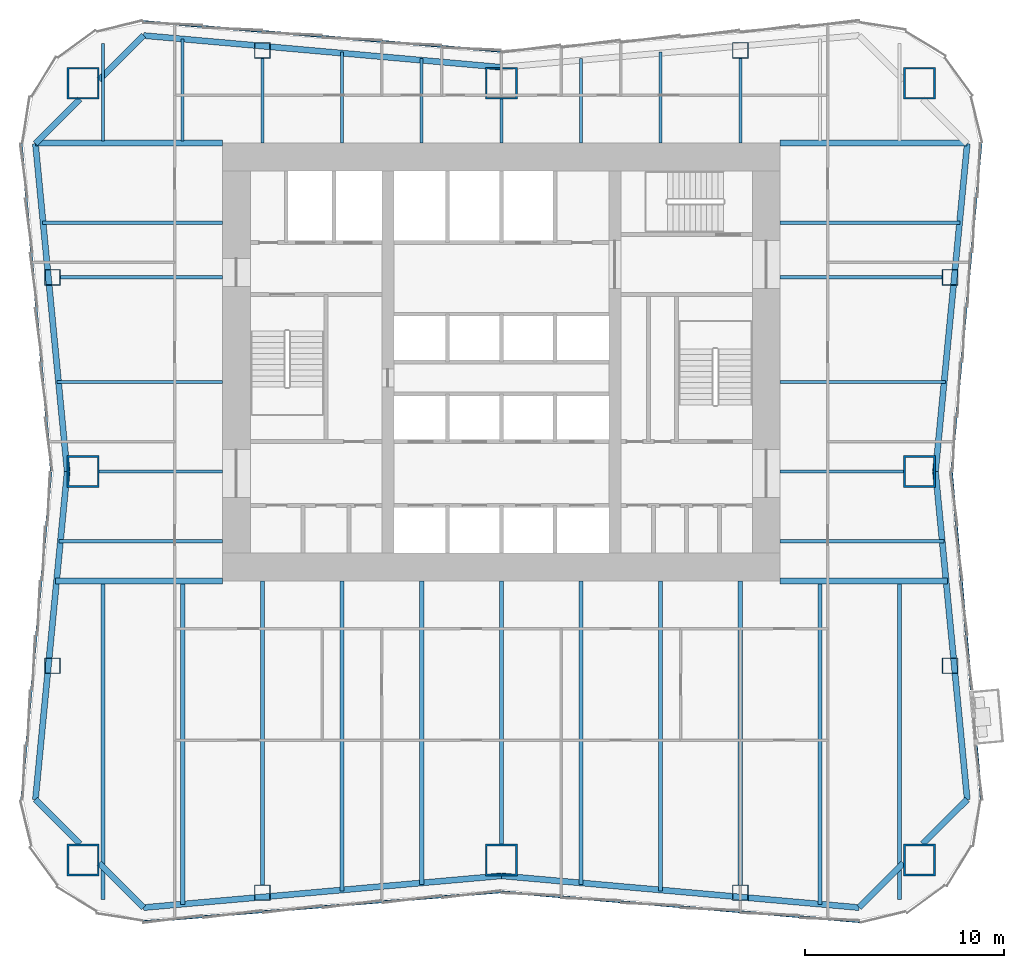
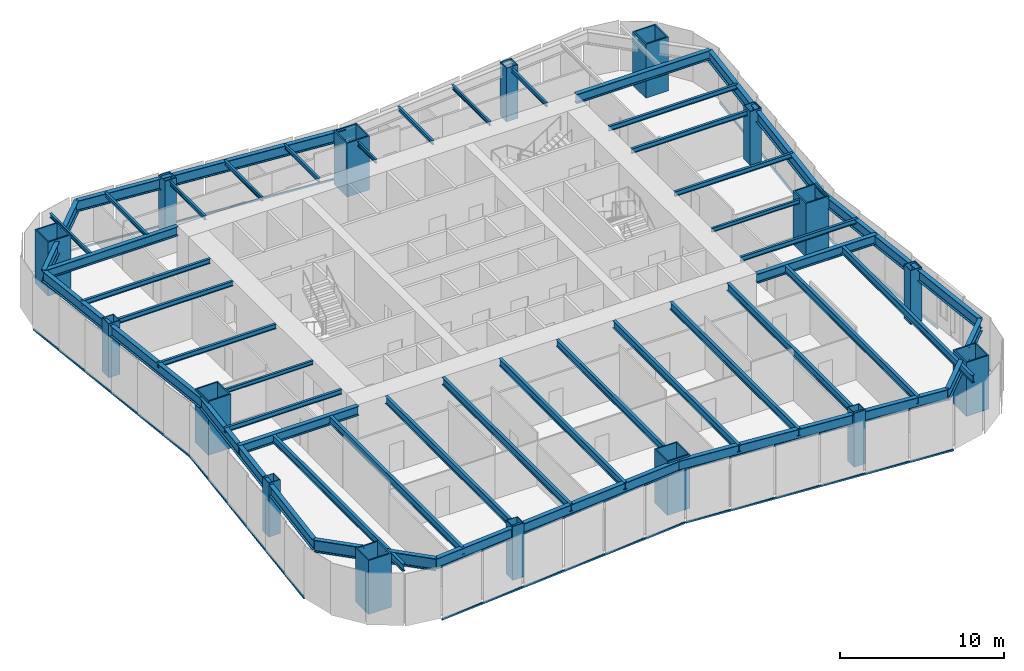
# One storey, part 1 of 8: 47 beams, 16 columns, 8 members, 4 elements without a shape of their own.
"""IFC4 building model written with IfcOpenShell, lengths in metres."""

import ifcopenshell
import ifcopenshell.guid

model = None  # the IFC model being written
_history = None  # IfcOwnerHistory: only IFC2X3 demands one
_inside = {}  # id of a spatial element -> (the spatial element, [elements in it])
_under = {}  # id of a project, library or spatial element -> (it, [spatial elements below it])
_declared = {}  # id of a project -> (the project, [libraries it declares])
_typed = {}  # id of a type object -> (the type object, [elements of that type])
_made_of = {}  # id of a material, layer set ... -> (it, [elements and type objects made of it])


def new_model(schema):
    """Start an empty IFC model of exactly this schema.

    Asked for "IFC4X3", IfcOpenShell would pick the latest addendum, in which some entities
    have other attributes; the version numbers below select the first issue.
    IFC2X3 requires an IfcOwnerHistory on every rooted entity: one is made here for all.
    """
    global model, _history
    if schema == "IFC4X3":
        model = ifcopenshell.file(schema_version=(4, 3, 0, 0))
    else:
        model = ifcopenshell.file(schema=schema)
    _inside.clear()
    _under.clear()
    _declared.clear()
    _typed.clear()
    _made_of.clear()
    _history = None
    if model.schema == "IFC2X3":
        org = make("IfcOrganization", Name="unknown")
        user = make(
            "IfcPersonAndOrganization",
            ThePerson=make("IfcPerson", FamilyName="unknown"),
            TheOrganization=org,
        )
        app = make(
            "IfcApplication",
            ApplicationDeveloper=org,
            Version="unknown",
            ApplicationFullName="unknown",
            ApplicationIdentifier="unknown",
        )
        _history = make(
            "IfcOwnerHistory",
            OwningUser=user,
            OwningApplication=app,
            ChangeAction="ADDED",
            CreationDate=0,
        )
    return model


def make(cls, **values):
    """One entity of the class cls with the attributes given. An attribute that is None is left unset."""
    return model.create_entity(
        cls, **{name: value for name, value in values.items() if value is not None}
    )


def rooted(cls, **values):
    """An entity with a GlobalId (a new one), such as an element, a storey or a relation."""
    return make(cls, GlobalId=ifcopenshell.guid.new(), OwnerHistory=_history, **values)


def si_unit(unit_type, name, prefix=None):
    """IfcSIUnit, for example si_unit("LENGTHUNIT", "METRE", prefix="MILLI")."""
    return make("IfcSIUnit", UnitType=unit_type, Prefix=prefix, Name=name)


def assignment(units):
    """IfcUnitAssignment: the units of a project."""
    return None if units is None else make("IfcUnitAssignment", Units=units)


def point(xyz):
    """IfcCartesianPoint."""
    return None if xyz is None else make("IfcCartesianPoint", Coordinates=xyz)


def direction(xyz):
    """IfcDirection."""
    return None if xyz is None else make("IfcDirection", DirectionRatios=xyz)


def frame(location, z_axis=None, x_axis=None):
    """IfcAxis2Placement3D, a coordinate frame: its origin and axes. An axis left out is left unset."""
    return make(
        "IfcAxis2Placement3D",
        Location=point(location),
        Axis=direction(z_axis),
        RefDirection=direction(x_axis),
    )


def frame_2d(location, x_axis=None):
    """IfcAxis2Placement2D, a coordinate frame in the plane: its origin and x axis."""
    return make(
        "IfcAxis2Placement2D", Location=point(location), RefDirection=direction(x_axis)
    )


def origin():
    """The frame at (0, 0, 0) with its axes left unset."""
    return frame((0.0, 0.0, 0.0))


def origin_2d():
    """The frame at (0, 0) in the plane with its x axis left unset."""
    return frame_2d((0.0, 0.0))


def place(relative_to, where):
    """IfcLocalPlacement: puts the frame where relative to a parent placement (None: the world)."""
    return make(
        "IfcLocalPlacement", PlacementRelTo=relative_to, RelativePlacement=where
    )


def context(
    kind, dimensions, precision=None, world=None, true_north=None, identifier=None
):
    """IfcGeometricRepresentationContext, for example the 3D "Model" context."""
    return make(
        "IfcGeometricRepresentationContext",
        ContextIdentifier=identifier,
        ContextType=kind,
        CoordinateSpaceDimension=dimensions,
        Precision=precision,
        WorldCoordinateSystem=world,
        TrueNorth=true_north,
    )


def subcontext(parent, identifier, kind, view, scale=None):
    """IfcGeometricRepresentationSubContext, for example "Body" below "Model"."""
    return make(
        "IfcGeometricRepresentationSubContext",
        ContextIdentifier=identifier,
        ContextType=kind,
        ParentContext=parent,
        TargetScale=scale,
        TargetView=view,
    )


def project(units=None, contexts=None):
    """IfcProject with its units and contexts."""
    return rooted(
        "IfcProject",
        Name="project",
        RepresentationContexts=contexts,
        UnitsInContext=assignment(units),
    )


def spatial(cls, under=None, at=None, **own):
    """A site, building, storey or space (cls), placed at a placement, below another one or the project."""
    s = rooted(cls, ObjectPlacement=at, **own)
    if under is not None:
        _under.setdefault(under.id(), (under, []))[1].append(s)
    return s


def profile(cls, at=None, kind="AREA", **sizes):
    """A parametric profile (cls). Its sizes go by their IFC names, for example OverallWidth=200.0."""
    return make(cls, ProfileType=kind, Position=at, **sizes)


def rectangle(**sizes):
    """IfcRectangleProfileDef."""
    return profile("IfcRectangleProfileDef", **sizes)


def hollow_rectangle(**sizes):
    """IfcRectangleHollowProfileDef."""
    return profile("IfcRectangleHollowProfileDef", **sizes)


def i_section(**sizes):
    """IfcIShapeProfileDef."""
    return profile("IfcIShapeProfileDef", **sizes)


def extrude(swept, where, along, depth):
    """IfcExtrudedAreaSolid: the profile swept, set in the frame where, extruded along a direction by depth."""
    return make(
        "IfcExtrudedAreaSolid",
        SweptArea=swept,
        Position=where,
        ExtrudedDirection=direction(along),
        Depth=depth,
    )


def shape(context_of_items, identifier, shape_type, items):
    """IfcShapeRepresentation: the items that make up one representation, for example the "Body"."""
    return make(
        "IfcShapeRepresentation",
        ContextOfItems=context_of_items,
        RepresentationIdentifier=identifier,
        RepresentationType=shape_type,
        Items=items,
    )


def material(Name=None, Category=None):
    """IfcMaterial."""
    return make("IfcMaterial", Name=Name, Category=Category)


def material_profile(
    of_material, cross_section, Name=None, Category=None, Priority=None
):
    """IfcMaterialProfile: a cross section and its material."""
    return make(
        "IfcMaterialProfile",
        Name=Name,
        Material=of_material,
        Profile=cross_section,
        Priority=Priority,
        Category=Category,
    )


def profile_set(profiles, Name=None, composite=None):
    """IfcMaterialProfileSet."""
    return make(
        "IfcMaterialProfileSet",
        Name=Name,
        MaterialProfiles=profiles,
        CompositeProfile=composite,
    )


def made_of(thing, what):
    """Note that an element or type object is made of a material, layer set ...; save() writes the relation."""
    if what is not None:
        _made_of.setdefault(what.id(), (what, []))[1].append(thing)
    return thing


def type_object(cls, material=None, **own):
    """A type object (cls), such as IfcWallType, which elements share."""
    return made_of(rooted(cls, **own), material)


def element(
    cls,
    number,
    at=None,
    inside=None,
    cuts=None,
    type_object=None,
    material=None,
    context=None,
    identifier="Body",
    shape_type=None,
    held_by="IfcProductDefinitionShape",
    body=None,
    shapes=None,
    **own,
):
    """One element of the class cls, such as IfcWall. Its Tag is "e" and its number.

    at: its placement. inside: the storey or other place that contains it. cuts: it is an
    opening in that element (IfcRelVoidsElement). A single representation is given by context,
    identifier, shape_type and body (its items); several are given by shapes. held_by: the class
    of the entity that holds the representations. save() writes the other relations.
    """
    e = rooted(cls, Tag="e%d" % number, ObjectPlacement=at, **own)
    if body is not None:
        shapes = [shape(context, identifier, shape_type, body)]
    if shapes is not None:
        e.Representation = make(held_by, Representations=shapes)
    if inside is not None:
        _inside.setdefault(inside.id(), (inside, []))[1].append(e)
    if cuts is not None:
        rooted(
            "IfcRelVoidsElement", RelatingBuildingElement=cuts, RelatedOpeningElement=e
        )
    if type_object is not None:
        _typed.setdefault(type_object.id(), (type_object, []))[1].append(e)
    return made_of(e, material)


def aggregate(whole, parts):
    """IfcRelAggregates: a whole, such as a stair, and the parts it consists of."""
    return rooted("IfcRelAggregates", RelatingObject=whole, RelatedObjects=parts)


def save(model, path):
    """Write the relations noted so far, then the file.

    IfcRelAggregates (storeys below a building ...), IfcRelContainedInSpatialStructure (elements
    in a storey), IfcRelDefinesByType, IfcRelAssociatesMaterial and IfcRelDeclares: one each for
    every whole, place, type object, material and project.
    """
    for whole, parts in _under.values():
        aggregate(whole, parts)
    for where, things in _inside.values():
        rooted(
            "IfcRelContainedInSpatialStructure",
            RelatedElements=things,
            RelatingStructure=where,
        )
    for kind, things in _typed.values():
        rooted("IfcRelDefinesByType", RelatedObjects=things, RelatingType=kind)
    for what, things in _made_of.values():
        rooted("IfcRelAssociatesMaterial", RelatedObjects=things, RelatingMaterial=what)
    for by, libraries in _declared.values():
        rooted("IfcRelDeclares", RelatingContext=by, RelatedDefinitions=libraries)
    model.write(path)


model = new_model("IFC4")

# Units and contexts
model_context = context("Model", 3, precision=1e-05, world=origin(), true_north=direction((0.0, 1.0)))
body_context = subcontext(model_context, "Body", "Model", "MODEL_VIEW")
ifc_project = project(units=[si_unit("LENGTHUNIT", "METRE"), si_unit("AREAUNIT", "SQUARE_METRE"), si_unit("VOLUMEUNIT", "CUBIC_METRE"), si_unit("PLANEANGLEUNIT", "RADIAN"), si_unit("MASSUNIT", "GRAM", prefix="KILO")], contexts=[model_context])

# Site, building, storey
site_placement = place(None, origin())
site = spatial("IfcSite", under=ifc_project, at=site_placement, CompositionType="ELEMENT")
building_placement = place(site_placement, origin())
building = spatial("IfcBuilding", under=site, at=building_placement, Name="Verdant Reach Tower", CompositionType="ELEMENT")
storey_placement = place(building_placement, frame((0.0, 0.0, 42.0)))
storey = spatial("IfcBuildingStorey", under=building, at=storey_placement, Name="L09", CompositionType="ELEMENT", Elevation=42.0)

# Columns
ifc_material_1 = material(Name="Steel S460", Category="steel")
ifc_material_profile_1 = material_profile(ifc_material_1, hollow_rectangle(XDim=1.60009765625, YDim=1.60009765625, WallThickness=0.090087890625, at=origin_2d()), Name="WB 1600x1600x90")
ifc_profile_set_1 = profile_set([ifc_material_profile_1], Name="Steel S460")
column_type_1 = type_object("IfcColumnType", Name="ST-COL-WB1600x1600x90", PredefinedType="COLUMN", material=ifc_profile_set_1)
for number, where, z_axis, x_axis, name in (
    (1, (-21.0, 42.0, 0.0), (0.0, 0.0, 1.0), (1.0, 0.0, 0.0), "Mega column north-west, L09"),
    (2, (0.0, 42.0, 0.0), (0.0, 0.0, 1.0), (1.0, 0.0, 0.0), "Mega column north, L09"),
    (3, (21.0, 42.0, 0.0), (0.0, 0.0, 1.0), (1.0, 0.0, 0.0), "Mega column north-east, L09"),
    (4, (21.0, 22.5, 0.0), (0.0, 0.0, 1.0), (1.0, 0.0, 0.0), "Mega column east, L09"),
    (5, (21.0, 3.0, 0.0), (0.0, 0.0, 1.0), (1.0, 0.0, 0.0), "Mega column south-east, L09"),
    (6, (0.0, 3.0, 0.0), (0.0, 0.0, 1.0), (1.0, 0.0, 0.0), "Mega column south, L09"),
    (7, (-21.0, 3.0, 0.0), (0.0, 0.0, 1.0), (1.0, 0.0, 0.0), "Mega column south-west, L09"),
    (8, (-21.0, 22.5, 0.0), (0.0, 0.0, 1.0), (1.0, 0.0, 0.0), "Mega column west, L09"),
):
    element("IfcColumn", number, at=place(storey_placement, frame(where, z_axis=z_axis, x_axis=x_axis)), inside=storey, type_object=column_type_1, Name=name, PredefinedType="COLUMN", context=body_context, shape_type="SweptSolid", body=[
        extrude(hollow_rectangle(XDim=1.60009765625, YDim=1.60009765625, WallThickness=0.090087890625, at=origin_2d()), origin(), (0.0, 0.0, 1.0), 4.0),
    ])
ifc_material_profile_2 = material_profile(ifc_material_1, hollow_rectangle(XDim=0.800048828125, YDim=0.800048828125, WallThickness=0.0400390625, at=origin_2d()), Name="WB 800x800x40")
ifc_profile_set_2 = profile_set([ifc_material_profile_2], Name="Steel S460")
column_type_2 = type_object("IfcColumnType", Name="ST-COL-WB800x800x40", PredefinedType="COLUMN", material=ifc_profile_set_2)
for number, where, z_axis, x_axis, name in (
    (9, (-12.0, 43.64990234375, 0.0), (0.0, 0.0, 1.0), (1.0, 0.0, 0.0), "Perimeter column north 1, L09"),
    (10, (12.0, 43.64990234375, 0.0), (0.0, 0.0, 1.0), (1.0, 0.0, 0.0), "Perimeter column north 2, L09"),
    (11, (-12.0, 1.35009765625, 0.0), (0.0, 0.0, 1.0), (1.0, 0.0, 0.0), "Perimeter column south 1, L09"),
    (12, (12.0, 1.35009765625, 0.0), (0.0, 0.0, 1.0), (1.0, 0.0, 0.0), "Perimeter column south 2, L09"),
    (13, (22.536376953125, 12.75, 0.0), (0.0, 0.0, 1.0), (1.0, 0.0, 0.0), "Perimeter column east 1, L09"),
    (14, (22.536376953125, 32.25, 0.0), (0.0, 0.0, 1.0), (1.0, 0.0, 0.0), "Perimeter column east 2, L09"),
    (15, (-22.536376953125, 12.75, 0.0), (0.0, 0.0, 1.0), (1.0, 0.0, 0.0), "Perimeter column west 1, L09"),
    (16, (-22.536376953125, 32.25, 0.0), (0.0, 0.0, 1.0), (1.0, 0.0, 0.0), "Perimeter column west 2, L09"),
):
    element("IfcColumn", number, at=place(storey_placement, frame(where, z_axis=z_axis, x_axis=x_axis)), inside=storey, type_object=column_type_2, Name=name, PredefinedType="COLUMN", context=body_context, shape_type="SweptSolid", body=[
        extrude(hollow_rectangle(XDim=0.800048828125, YDim=0.800048828125, WallThickness=0.0400390625, at=origin_2d()), origin(), (0.0, 0.0, 1.0), 4.0),
    ])

# Curtain wall, members
ifc_material_2 = material(Name="Anodised aluminium", Category="aluminium")
curtain_wall_type = type_object("IfcCurtainWallType", Name="EN-CW SYSTEM Z0", PredefinedType="NOTDEFINED", material=ifc_material_2)
curtain_wall_1_placement = place(storey_placement, origin())
curtain_wall_1 = element("IfcCurtainWall", 17, at=curtain_wall_1_placement, inside=storey, type_object=curtain_wall_type, Name="Curtain wall east, L09", PredefinedType="NOTDEFINED")
ifc_material_profile_3 = material_profile(ifc_material_2, rectangle(XDim=0.10009765625, YDim=0.1201171875, at=origin_2d()), Name="Transom 120x100")
ifc_profile_set_3 = profile_set([ifc_material_profile_3], Name="Anodised aluminium")
member_type = type_object("IfcMemberType", Name="EN-TRANSOM Z0", PredefinedType="USERDEFINED", material=ifc_profile_set_3)
member_1_placement = place(storey_placement, frame((24.09716796875, 6.024658203125, -0.2900390625), z_axis=(-0.090170976609, 0.995926299973, 0.0), x_axis=(-0.995926299973, -0.090170976609, 0.0)))
member_1 = element("IfcMember", 18, at=member_1_placement, type_object=member_type, Name="Transom east face part 1 1.1, L09", ObjectType="TRANSOM", PredefinedType="USERDEFINED", context=body_context, shape_type="SweptSolid", body=[
    extrude(rectangle(XDim=0.10009765625, YDim=0.1201171875, at=origin_2d()), origin(), (0.0, 0.0, 1.0), 2.715576171875),
])
member_2_placement = place(storey_placement, frame((23.596923828125, 11.538818359375, -0.2900390625), z_axis=(-0.090569838391, 0.995890106575, 0.0), x_axis=(-0.995890106575, -0.090569838391, 0.0)))
member_2 = element("IfcMember", 19, at=member_2_placement, type_object=member_type, Name="Transom east face part 1 2.1, L09", ObjectType="TRANSOM", PredefinedType="USERDEFINED", context=body_context, shape_type="SweptSolid", body=[
    extrude(rectangle(XDim=0.10009765625, YDim=0.1201171875, at=origin_2d()), origin(), (0.0, 0.0, 1.0), 10.9765625),
])
member_3_placement = place(storey_placement, frame((22.602783203125, 22.52978515625, -0.2900390625), z_axis=(0.090495755184, 0.995896841191, 0.0), x_axis=(-0.995896841191, 0.090495755184, 0.0)))
member_3 = element("IfcMember", 20, at=member_3_placement, type_object=member_type, Name="Transom east face part 2 1.1, L09", ObjectType="TRANSOM", PredefinedType="USERDEFINED", context=body_context, shape_type="SweptSolid", body=[
    extrude(rectangle(XDim=0.10009765625, YDim=0.1201171875, at=origin_2d()), origin(), (0.0, 0.0, 1.0), 16.513427734375),
])
aggregate(curtain_wall_1, [member_1, member_2, member_3])

# Curtain wall, member
curtain_wall_2_placement = place(storey_placement, origin())
curtain_wall_2 = element("IfcCurtainWall", 21, at=curtain_wall_2_placement, inside=storey, type_object=curtain_wall_type, Name="Curtain wall north, L09", PredefinedType="NOTDEFINED")
member_4_placement = place(storey_placement, frame((-0.02978515625, 43.6025390625, -0.2900390625), z_axis=(-0.996548656072, 0.083010698588, 0.0), x_axis=(-0.083010698588, -0.996548656072, 0.0)))
member_4 = element("IfcMember", 22, at=member_4_placement, type_object=member_type, Name="Transom north face part 2 1.1, L09", ObjectType="TRANSOM", PredefinedType="USERDEFINED", context=body_context, shape_type="SweptSolid", body=[
    extrude(rectangle(XDim=0.10009765625, YDim=0.1201171875, at=origin_2d()), origin(), (0.0, 0.0, 1.0), 18.00830078125),
])
aggregate(curtain_wall_2, [member_4])

# Curtain wall, members
curtain_wall_3_placement = place(storey_placement, origin())
curtain_wall_3 = element("IfcCurtainWall", 23, at=curtain_wall_3_placement, inside=storey, type_object=curtain_wall_type, Name="Curtain wall west, L09", PredefinedType="NOTDEFINED")
member_5_placement = place(storey_placement, frame((-24.09716796875, 38.975341796875, -0.2900390625), z_axis=(0.090495755184, -0.995896841191, 0.0), x_axis=(0.995896841191, 0.090495755184, 0.0)))
member_5 = element("IfcMember", 24, at=member_5_placement, type_object=member_type, Name="Transom west face part 1 1.1, L09", ObjectType="TRANSOM", PredefinedType="USERDEFINED", context=body_context, shape_type="SweptSolid", body=[
    extrude(rectangle(XDim=0.10009765625, YDim=0.1201171875, at=origin_2d()), origin(), (0.0, 0.0, 1.0), 16.513427734375),
])
member_6_placement = place(storey_placement, frame((-22.602783203125, 22.47021484375, -0.2900390625), z_axis=(-0.090495755184, -0.995896841191, 0.0), x_axis=(0.995896841191, -0.090495755184, 0.0)))
member_6 = element("IfcMember", 25, at=member_6_placement, type_object=member_type, Name="Transom west face part 2 1.1, L09", ObjectType="TRANSOM", PredefinedType="USERDEFINED", context=body_context, shape_type="SweptSolid", body=[
    extrude(rectangle(XDim=0.10009765625, YDim=0.1201171875, at=origin_2d()), origin(), (0.0, 0.0, 1.0), 16.513427734375),
])
aggregate(curtain_wall_3, [member_5, member_6])

curtain_wall_4_placement = place(storey_placement, origin())
curtain_wall_4 = element("IfcCurtainWall", 26, at=curtain_wall_4_placement, inside=storey, type_object=curtain_wall_type, Name="Curtain wall south, L09", PredefinedType="NOTDEFINED")
member_7_placement = place(storey_placement, frame((-17.975830078125, -0.097412109375, -0.2900390625), z_axis=(0.996548656072, 0.083010698588, 0.0), x_axis=(-0.083010698588, 0.996548656072, 0.0)))
member_7 = element("IfcMember", 27, at=member_7_placement, type_object=member_type, Name="Transom south face part 1 1.1, L09", ObjectType="TRANSOM", PredefinedType="USERDEFINED", context=body_context, shape_type="SweptSolid", body=[
    extrude(rectangle(XDim=0.10009765625, YDim=0.1201171875, at=origin_2d()), origin(), (0.0, 0.0, 1.0), 18.00830078125),
])
member_8_placement = place(storey_placement, frame((0.02978515625, 1.3974609375, -0.2900390625), z_axis=(0.996548656072, -0.083010698588, 0.0), x_axis=(0.083010698588, 0.996548656072, 0.0)))
member_8 = element("IfcMember", 28, at=member_8_placement, type_object=member_type, Name="Transom south face part 2 1.1, L09", ObjectType="TRANSOM", PredefinedType="USERDEFINED", context=body_context, shape_type="SweptSolid", body=[
    extrude(rectangle(XDim=0.10009765625, YDim=0.1201171875, at=origin_2d()), origin(), (0.0, 0.0, 1.0), 18.00830078125),
])
aggregate(curtain_wall_4, [member_7, member_8])

# Beams
ifc_material_3 = material(Name="Steel S355", Category="steel")
ifc_material_profile_4 = material_profile(ifc_material_3, i_section(OverallWidth=0.300048828125, OverallDepth=0.699951171875, WebThickness=0.01708984375, FlangeThickness=0.031982421875, FilletRadius=0.027099609375, at=origin_2d()), Name="HEB 700")
ifc_profile_set_4 = profile_set([ifc_material_profile_4], Name="Steel S355")
beam_type_1 = type_object("IfcBeamType", Name="ST-BEAM-HEB700", PredefinedType="BEAM", material=ifc_profile_set_4)
for number, where, z_axis, x_axis, name in (
    (29, (14.0, 39.0, 3.52001953125), (1.0, 0.0, 0.0), (0.0, 1.0, 0.0), "Trimmer beam, L09"),
    (30, (-14.0, 39.0, 3.52001953125), (-1.0, 0.0, 0.0), (0.0, -1.0, 0.0), "Trimmer beam, L09"),
):
    element("IfcBeam", number, at=place(storey_placement, frame(where, z_axis=z_axis, x_axis=x_axis)), inside=storey, type_object=beam_type_1, Name=name, PredefinedType="BEAM", context=body_context, shape_type="SweptSolid", body=[
        extrude(i_section(OverallWidth=0.300048828125, OverallDepth=0.699951171875, WebThickness=0.01708984375, FlangeThickness=0.031982421875, FilletRadius=0.027099609375, at=origin_2d()), origin(), (0.0, 0.0, 1.0), 9.38818359375),
    ])
for number, where, z_axis, x_axis, name in (
    (31, (14.0, 17.0, 3.52001953125), (1.0, 0.0, 0.0), (0.0, 1.0, 0.0), "Trimmer beam, L09"),
    (32, (-14.0, 17.0, 3.52001953125), (-1.0, 0.0, 0.0), (0.0, -1.0, 0.0), "Trimmer beam, L09"),
):
    element("IfcBeam", number, at=place(storey_placement, frame(where, z_axis=z_axis, x_axis=x_axis)), inside=storey, type_object=beam_type_1, Name=name, PredefinedType="BEAM", context=body_context, shape_type="SweptSolid", body=[
        extrude(i_section(OverallWidth=0.300048828125, OverallDepth=0.699951171875, WebThickness=0.01708984375, FlangeThickness=0.031982421875, FilletRadius=0.027099609375, at=origin_2d()), origin(), (0.0, 0.0, 1.0), 8.3974609375),
    ])
ifc_material_profile_5 = material_profile(ifc_material_3, i_section(OverallWidth=0.14990234375, OverallDepth=0.300048828125, WebThickness=0.007080078125, FlangeThickness=0.0107421875, FilletRadius=0.014892578125, at=origin_2d()), Name="IPE 300")
ifc_profile_set_5 = profile_set([ifc_material_profile_5], Name="Steel S355")
beam_type_2 = type_object("IfcBeamType", Name="ST-JOIST-IPE300", PredefinedType="JOIST", material=ifc_profile_set_5)
beam_1_placement = place(storey_placement, frame((-20.0, 39.10009765625, 3.719970703125), z_axis=(0.0, 1.0, 0.0), x_axis=(-1.0, 0.0, 0.0)))
element("IfcBeam", 33, at=beam_1_placement, inside=storey, type_object=beam_type_2, Name="Floor joist, L09", PredefinedType="JOIST", context=body_context, shape_type="SweptSolid", body=[
    extrude(i_section(OverallWidth=0.14990234375, OverallDepth=0.300048828125, WebThickness=0.007080078125, FlangeThickness=0.0107421875, FilletRadius=0.014892578125, at=origin_2d()), origin(), (0.0, 0.0, 1.0), 4.890380859375),
])
beam_2_placement = place(storey_placement, frame((-16.0, 39.10009765625, 3.719970703125), z_axis=(0.0, 1.0, 0.0), x_axis=(-1.0, 0.0, 0.0)))
element("IfcBeam", 34, at=beam_2_placement, inside=storey, type_object=beam_type_2, Name="Floor joist, L09", PredefinedType="JOIST", context=body_context, shape_type="SweptSolid", body=[
    extrude(i_section(OverallWidth=0.14990234375, OverallDepth=0.300048828125, WebThickness=0.007080078125, FlangeThickness=0.0107421875, FilletRadius=0.014892578125, at=origin_2d()), origin(), (0.0, 0.0, 1.0), 5.131103515625),
])
beam_3_placement = place(storey_placement, frame((-12.0, 39.0, 3.719970703125), z_axis=(0.0, 1.0, 0.0), x_axis=(-1.0, 0.0, 0.0)))
element("IfcBeam", 35, at=beam_3_placement, inside=storey, type_object=beam_type_2, Name="Floor joist, L09", PredefinedType="JOIST", context=body_context, shape_type="SweptSolid", body=[
    extrude(i_section(OverallWidth=0.14990234375, OverallDepth=0.300048828125, WebThickness=0.007080078125, FlangeThickness=0.0107421875, FilletRadius=0.014892578125, at=origin_2d()), origin(), (0.0, 0.0, 1.0), 4.25),
])
beam_4_placement = place(storey_placement, frame((-8.0, 39.0, 3.719970703125), z_axis=(0.0, 1.0, 0.0), x_axis=(-1.0, 0.0, 0.0)))
element("IfcBeam", 36, at=beam_4_placement, inside=storey, type_object=beam_type_2, Name="Floor joist, L09", PredefinedType="JOIST", context=body_context, shape_type="SweptSolid", body=[
    extrude(i_section(OverallWidth=0.14990234375, OverallDepth=0.300048828125, WebThickness=0.007080078125, FlangeThickness=0.0107421875, FilletRadius=0.014892578125, at=origin_2d()), origin(), (0.0, 0.0, 1.0), 4.564697265625),
])
beam_5_placement = place(storey_placement, frame((-4.0, 39.0, 3.719970703125), z_axis=(0.0, 1.0, 0.0), x_axis=(-1.0, 0.0, 0.0)))
element("IfcBeam", 37, at=beam_5_placement, inside=storey, type_object=beam_type_2, Name="Floor joist, L09", PredefinedType="JOIST", context=body_context, shape_type="SweptSolid", body=[
    extrude(i_section(OverallWidth=0.14990234375, OverallDepth=0.300048828125, WebThickness=0.007080078125, FlangeThickness=0.0107421875, FilletRadius=0.014892578125, at=origin_2d()), origin(), (0.0, 0.0, 1.0), 4.231201171875),
])
beam_6_placement = place(storey_placement, frame((0.0, 39.0, 3.719970703125), z_axis=(0.0, 1.0, 0.0), x_axis=(-1.0, 0.0, 0.0)))
element("IfcBeam", 38, at=beam_6_placement, inside=storey, type_object=beam_type_2, Name="Floor joist, L09", PredefinedType="JOIST", context=body_context, shape_type="SweptSolid", body=[
    extrude(i_section(OverallWidth=0.14990234375, OverallDepth=0.300048828125, WebThickness=0.007080078125, FlangeThickness=0.0107421875, FilletRadius=0.014892578125, at=origin_2d()), origin(), (0.0, 0.0, 1.0), 2.199951171875),
])
beam_7_placement = place(storey_placement, frame((4.0, 39.0, 3.719970703125), z_axis=(0.0, 1.0, 0.0), x_axis=(-1.0, 0.0, 0.0)))
element("IfcBeam", 39, at=beam_7_placement, inside=storey, type_object=beam_type_2, Name="Floor joist, L09", PredefinedType="JOIST", context=body_context, shape_type="SweptSolid", body=[
    extrude(i_section(OverallWidth=0.14990234375, OverallDepth=0.300048828125, WebThickness=0.007080078125, FlangeThickness=0.0107421875, FilletRadius=0.014892578125, at=origin_2d()), origin(), (0.0, 0.0, 1.0), 4.231201171875),
])
beam_8_placement = place(storey_placement, frame((8.0, 39.0, 3.719970703125), z_axis=(0.0, 1.0, 0.0), x_axis=(-1.0, 0.0, 0.0)))
element("IfcBeam", 40, at=beam_8_placement, inside=storey, type_object=beam_type_2, Name="Floor joist, L09", PredefinedType="JOIST", context=body_context, shape_type="SweptSolid", body=[
    extrude(i_section(OverallWidth=0.14990234375, OverallDepth=0.300048828125, WebThickness=0.007080078125, FlangeThickness=0.0107421875, FilletRadius=0.014892578125, at=origin_2d()), origin(), (0.0, 0.0, 1.0), 4.564697265625),
])
beam_9_placement = place(storey_placement, frame((12.0, 39.0, 3.719970703125), z_axis=(0.0, 1.0, 0.0), x_axis=(-1.0, 0.0, 0.0)))
element("IfcBeam", 41, at=beam_9_placement, inside=storey, type_object=beam_type_2, Name="Floor joist, L09", PredefinedType="JOIST", context=body_context, shape_type="SweptSolid", body=[
    extrude(i_section(OverallWidth=0.14990234375, OverallDepth=0.300048828125, WebThickness=0.007080078125, FlangeThickness=0.0107421875, FilletRadius=0.014892578125, at=origin_2d()), origin(), (0.0, 0.0, 1.0), 4.25),
])
for number, where, z_axis, x_axis, name in (
    (42, (14.0, 22.5, 3.719970703125), (1.0, 0.0, 0.0), (0.0, 1.0, 0.0), "Floor joist, L09"),
    (43, (-14.0, 22.5, 3.719970703125), (-1.0, 0.0, 0.0), (0.0, -1.0, 0.0), "Floor joist, L09"),
):
    element("IfcBeam", number, at=place(storey_placement, frame(where, z_axis=z_axis, x_axis=x_axis)), inside=storey, type_object=beam_type_2, Name=name, PredefinedType="JOIST", context=body_context, shape_type="SweptSolid", body=[
        extrude(i_section(OverallWidth=0.14990234375, OverallDepth=0.300048828125, WebThickness=0.007080078125, FlangeThickness=0.0107421875, FilletRadius=0.014892578125, at=origin_2d()), origin(), (0.0, 0.0, 1.0), 6.199951171875),
    ])
ifc_material_profile_6 = material_profile(ifc_material_3, i_section(OverallWidth=0.169921875, OverallDepth=0.360107421875, WebThickness=0.008056640625, FlangeThickness=0.0126953125, FilletRadius=0.01806640625, at=origin_2d()), Name="IPE 360")
ifc_profile_set_6 = profile_set([ifc_material_profile_6], Name="Steel S355")
beam_type_3 = type_object("IfcBeamType", Name="ST-JOIST-IPE360", PredefinedType="JOIST", material=ifc_profile_set_6)
for number, where, z_axis, x_axis, name in (
    (44, (14.0, 19.0, 3.68994140625), (1.0, 0.0, 0.0), (0.0, 1.0, 0.0), "Floor joist, L09"),
    (45, (-14.0, 19.0, 3.68994140625), (-1.0, 0.0, 0.0), (0.0, -1.0, 0.0), "Floor joist, L09"),
):
    element("IfcBeam", number, at=place(storey_placement, frame(where, z_axis=z_axis, x_axis=x_axis)), inside=storey, type_object=beam_type_3, Name=name, PredefinedType="JOIST", context=body_context, shape_type="SweptSolid", body=[
        extrude(i_section(OverallWidth=0.169921875, OverallDepth=0.360107421875, WebThickness=0.008056640625, FlangeThickness=0.0126953125, FilletRadius=0.01806640625, at=origin_2d()), origin(), (0.0, 0.0, 1.0), 8.2158203125),
    ])
for number, where, z_axis, x_axis, name in (
    (46, (14.0, 27.0, 3.68994140625), (1.0, 0.0, 0.0), (0.0, 1.0, 0.0), "Floor joist, L09"),
    (47, (-14.0, 27.0, 3.68994140625), (-1.0, 0.0, 0.0), (0.0, -1.0, 0.0), "Floor joist, L09"),
):
    element("IfcBeam", number, at=place(storey_placement, frame(where, z_axis=z_axis, x_axis=x_axis)), inside=storey, type_object=beam_type_3, Name=name, PredefinedType="JOIST", context=body_context, shape_type="SweptSolid", body=[
        extrude(i_section(OverallWidth=0.169921875, OverallDepth=0.360107421875, WebThickness=0.008056640625, FlangeThickness=0.0126953125, FilletRadius=0.01806640625, at=origin_2d()), origin(), (0.0, 0.0, 1.0), 8.306640625),
    ])
for number, where, z_axis, x_axis, name in (
    (48, (14.0, 32.25, 3.68994140625), (1.0, 0.0, 0.0), (0.0, 1.0, 0.0), "Floor joist, L09"),
    (49, (-14.0, 32.25, 3.68994140625), (-1.0, 0.0, 0.0), (0.0, -1.0, 0.0), "Floor joist, L09"),
):
    element("IfcBeam", number, at=place(storey_placement, frame(where, z_axis=z_axis, x_axis=x_axis)), inside=storey, type_object=beam_type_3, Name=name, PredefinedType="JOIST", context=body_context, shape_type="SweptSolid", body=[
        extrude(i_section(OverallWidth=0.169921875, OverallDepth=0.360107421875, WebThickness=0.008056640625, FlangeThickness=0.0126953125, FilletRadius=0.01806640625, at=origin_2d()), origin(), (0.0, 0.0, 1.0), 8.136474609375),
    ])
for number, where, z_axis, x_axis, name in (
    (50, (14.0, 35.0, 3.68994140625), (1.0, 0.0, 0.0), (0.0, 1.0, 0.0), "Floor joist, L09"),
    (51, (-14.0, 35.0, 3.68994140625), (-1.0, 0.0, 0.0), (0.0, -1.0, 0.0), "Floor joist, L09"),
):
    element("IfcBeam", number, at=place(storey_placement, frame(where, z_axis=z_axis, x_axis=x_axis)), inside=storey, type_object=beam_type_3, Name=name, PredefinedType="JOIST", context=body_context, shape_type="SweptSolid", body=[
        extrude(i_section(OverallWidth=0.169921875, OverallDepth=0.360107421875, WebThickness=0.008056640625, FlangeThickness=0.0126953125, FilletRadius=0.01806640625, at=origin_2d()), origin(), (0.0, 0.0, 1.0), 9.033935546875),
    ])
ifc_material_profile_7 = material_profile(ifc_material_3, i_section(OverallWidth=0.199951171875, OverallDepth=0.5, WebThickness=0.01025390625, FlangeThickness=0.01611328125, FilletRadius=0.02099609375, at=origin_2d()), Name="IPE 500")
ifc_profile_set_7 = profile_set([ifc_material_profile_7], Name="Steel S355")
beam_type_4 = type_object("IfcBeamType", Name="ST-JOIST-IPE500", PredefinedType="JOIST", material=ifc_profile_set_7)
beam_10_placement = place(storey_placement, frame((0.0, 17.0, 3.6201171875), z_axis=(0.0, -1.0, 0.0), x_axis=(1.0, 0.0, 0.0)))
element("IfcBeam", 52, at=beam_10_placement, inside=storey, type_object=beam_type_4, Name="Floor joist, L09", PredefinedType="JOIST", context=body_context, shape_type="SweptSolid", body=[
    extrude(i_section(OverallWidth=0.199951171875, OverallDepth=0.5, WebThickness=0.01025390625, FlangeThickness=0.01611328125, FilletRadius=0.02099609375, at=origin_2d()), origin(), (0.0, 0.0, 1.0), 13.199951171875),
])
ifc_material_profile_8 = material_profile(ifc_material_3, i_section(OverallWidth=0.2099609375, OverallDepth=0.550048828125, WebThickness=0.010986328125, FlangeThickness=0.01708984375, FilletRadius=0.02392578125, at=origin_2d()), Name="IPE 550")
ifc_profile_set_8 = profile_set([ifc_material_profile_8], Name="Steel S355")
beam_type_5 = type_object("IfcBeamType", Name="ST-JOIST-IPE550", PredefinedType="JOIST", material=ifc_profile_set_8)
beam_11_placement = place(storey_placement, frame((-20.0, 16.89990234375, 3.594970703125), z_axis=(0.0, -1.0, 0.0), x_axis=(1.0, 0.0, 0.0)))
element("IfcBeam", 53, at=beam_11_placement, inside=storey, type_object=beam_type_5, Name="Floor joist, L09", PredefinedType="JOIST", context=body_context, shape_type="SweptSolid", body=[
    extrude(i_section(OverallWidth=0.2099609375, OverallDepth=0.550048828125, WebThickness=0.010986328125, FlangeThickness=0.01708984375, FilletRadius=0.02392578125, at=origin_2d()), origin(), (0.0, 0.0, 1.0), 15.890380859375),
])
beam_12_placement = place(storey_placement, frame((-16.0, 16.89990234375, 3.594970703125), z_axis=(0.0, -1.0, 0.0), x_axis=(1.0, 0.0, 0.0)))
element("IfcBeam", 54, at=beam_12_placement, inside=storey, type_object=beam_type_5, Name="Floor joist, L09", PredefinedType="JOIST", context=body_context, shape_type="SweptSolid", body=[
    extrude(i_section(OverallWidth=0.2099609375, OverallDepth=0.550048828125, WebThickness=0.010986328125, FlangeThickness=0.01708984375, FilletRadius=0.02392578125, at=origin_2d()), origin(), (0.0, 0.0, 1.0), 16.131103515625),
])
beam_13_placement = place(storey_placement, frame((-12.0, 17.0, 3.594970703125), z_axis=(0.0, -1.0, 0.0), x_axis=(1.0, 0.0, 0.0)))
element("IfcBeam", 55, at=beam_13_placement, inside=storey, type_object=beam_type_5, Name="Floor joist, L09", PredefinedType="JOIST", context=body_context, shape_type="SweptSolid", body=[
    extrude(i_section(OverallWidth=0.2099609375, OverallDepth=0.550048828125, WebThickness=0.010986328125, FlangeThickness=0.01708984375, FilletRadius=0.02392578125, at=origin_2d()), origin(), (0.0, 0.0, 1.0), 15.25),
])
beam_14_placement = place(storey_placement, frame((-8.0, 17.0, 3.594970703125), z_axis=(0.0, -1.0, 0.0), x_axis=(1.0, 0.0, 0.0)))
element("IfcBeam", 56, at=beam_14_placement, inside=storey, type_object=beam_type_5, Name="Floor joist, L09", PredefinedType="JOIST", context=body_context, shape_type="SweptSolid", body=[
    extrude(i_section(OverallWidth=0.2099609375, OverallDepth=0.550048828125, WebThickness=0.010986328125, FlangeThickness=0.01708984375, FilletRadius=0.02392578125, at=origin_2d()), origin(), (0.0, 0.0, 1.0), 15.564697265625),
])
for number, where, z_axis, x_axis, name in (
    (57, (-4.0, 17.0, 3.594970703125), (0.0, -1.0, 0.0), (1.0, 0.0, 0.0), "Floor joist, L09"),
    (58, (4.0, 17.0, 3.594970703125), (0.0, -1.0, 0.0), (1.0, 0.0, 0.0), "Floor joist, L09"),
):
    element("IfcBeam", number, at=place(storey_placement, frame(where, z_axis=z_axis, x_axis=x_axis)), inside=storey, type_object=beam_type_5, Name=name, PredefinedType="JOIST", context=body_context, shape_type="SweptSolid", body=[
        extrude(i_section(OverallWidth=0.2099609375, OverallDepth=0.550048828125, WebThickness=0.010986328125, FlangeThickness=0.01708984375, FilletRadius=0.02392578125, at=origin_2d()), origin(), (0.0, 0.0, 1.0), 15.231201171875),
    ])
beam_15_placement = place(storey_placement, frame((8.0, 17.0, 3.594970703125), z_axis=(0.0, -1.0, 0.0), x_axis=(1.0, 0.0, 0.0)))
element("IfcBeam", 59, at=beam_15_placement, inside=storey, type_object=beam_type_5, Name="Floor joist, L09", PredefinedType="JOIST", context=body_context, shape_type="SweptSolid", body=[
    extrude(i_section(OverallWidth=0.2099609375, OverallDepth=0.550048828125, WebThickness=0.010986328125, FlangeThickness=0.01708984375, FilletRadius=0.02392578125, at=origin_2d()), origin(), (0.0, 0.0, 1.0), 15.564697265625),
])
beam_16_placement = place(storey_placement, frame((12.0, 17.0, 3.594970703125), z_axis=(0.0, -1.0, 0.0), x_axis=(1.0, 0.0, 0.0)))
element("IfcBeam", 60, at=beam_16_placement, inside=storey, type_object=beam_type_5, Name="Floor joist, L09", PredefinedType="JOIST", context=body_context, shape_type="SweptSolid", body=[
    extrude(i_section(OverallWidth=0.2099609375, OverallDepth=0.550048828125, WebThickness=0.010986328125, FlangeThickness=0.01708984375, FilletRadius=0.02392578125, at=origin_2d()), origin(), (0.0, 0.0, 1.0), 15.25),
])
beam_17_placement = place(storey_placement, frame((16.0, 16.89990234375, 3.594970703125), z_axis=(0.0, -1.0, 0.0), x_axis=(1.0, 0.0, 0.0)))
element("IfcBeam", 61, at=beam_17_placement, inside=storey, type_object=beam_type_5, Name="Floor joist, L09", PredefinedType="JOIST", context=body_context, shape_type="SweptSolid", body=[
    extrude(i_section(OverallWidth=0.2099609375, OverallDepth=0.550048828125, WebThickness=0.010986328125, FlangeThickness=0.01708984375, FilletRadius=0.02392578125, at=origin_2d()), origin(), (0.0, 0.0, 1.0), 16.131103515625),
])
beam_18_placement = place(storey_placement, frame((20.0, 16.89990234375, 3.594970703125), z_axis=(0.0, -1.0, 0.0), x_axis=(1.0, 0.0, 0.0)))
element("IfcBeam", 62, at=beam_18_placement, inside=storey, type_object=beam_type_5, Name="Floor joist, L09", PredefinedType="JOIST", context=body_context, shape_type="SweptSolid", body=[
    extrude(i_section(OverallWidth=0.2099609375, OverallDepth=0.550048828125, WebThickness=0.010986328125, FlangeThickness=0.01708984375, FilletRadius=0.02392578125, at=origin_2d()), origin(), (0.0, 0.0, 1.0), 15.890380859375),
])
ifc_material_profile_9 = material_profile(ifc_material_3, i_section(OverallWidth=0.300048828125, OverallDepth=0.800048828125, WebThickness=0.017578125, FlangeThickness=0.032958984375, FilletRadius=0.030029296875, at=origin_2d()), Name="HEB 800")
ifc_profile_set_9 = profile_set([ifc_material_profile_9], Name="Steel S355")
beam_type_6 = type_object("IfcBeamType", Name="ST-SPANDREL-HEB800", PredefinedType="SPANDREL", material=ifc_profile_set_9)
for number, where, z_axis, x_axis, name in (
    (63, (17.9658203125, 0.60498046875, 3.469970703125), (-0.996082370463, 0.088430262084, 0.0), (-0.088430262084, -0.996082370463, 0.0), "Edge beam, L09"),
    (64, (0.0, 2.199951171875, 3.469970703125), (-0.996082370463, -0.088430262084, 0.0), (0.088430262084, -0.996082370463, 0.0), "Edge beam, L09"),
):
    element("IfcBeam", number, at=place(storey_placement, frame(where, z_axis=z_axis, x_axis=x_axis)), inside=storey, type_object=beam_type_6, Name=name, PredefinedType="SPANDREL", context=body_context, shape_type="SweptSolid", body=[
        extrude(i_section(OverallWidth=0.300048828125, OverallDepth=0.800048828125, WebThickness=0.017578125, FlangeThickness=0.032958984375, FilletRadius=0.030029296875, at=origin_2d()), origin(), (0.0, 0.0, 1.0), 18.036376953125),
    ])
for number, where, z_axis, x_axis, name in (
    (65, (-23.39453125, 6.031982421875, 3.469970703125), (0.096372296695, 0.995345357366, 0.0), (-0.995345357366, 0.096372296695, 0.0), "Edge beam, L09"),
    (66, (-21.800048828125, 22.5, 3.469970703125), (-0.096372296695, 0.995345357366, 0.0), (-0.995345357366, -0.096372296695, 0.0), "Edge beam, L09"),
):
    element("IfcBeam", number, at=place(storey_placement, frame(where, z_axis=z_axis, x_axis=x_axis)), inside=storey, type_object=beam_type_6, Name=name, PredefinedType="SPANDREL", context=body_context, shape_type="SweptSolid", body=[
        extrude(i_section(OverallWidth=0.300048828125, OverallDepth=0.800048828125, WebThickness=0.017578125, FlangeThickness=0.032958984375, FilletRadius=0.030029296875, at=origin_2d()), origin(), (0.0, 0.0, 1.0), 16.544921875),
    ])
beam_19_placement = place(storey_placement, frame((-17.9658203125, 44.39501953125, 3.469970703125), z_axis=(0.996082370463, -0.088430262084, 0.0), x_axis=(0.088430262084, 0.996082370463, 0.0)))
element("IfcBeam", 67, at=beam_19_placement, inside=storey, type_object=beam_type_6, Name="Edge beam, L09", PredefinedType="SPANDREL", context=body_context, shape_type="SweptSolid", body=[
    extrude(i_section(OverallWidth=0.300048828125, OverallDepth=0.800048828125, WebThickness=0.017578125, FlangeThickness=0.032958984375, FilletRadius=0.030029296875, at=origin_2d()), origin(), (0.0, 0.0, 1.0), 18.036376953125),
])
for number, where, z_axis, x_axis, name in (
    (68, (23.39453125, 38.968017578125, 3.469970703125), (-0.096372296695, -0.995345357366, 0.0), (0.995345357366, -0.096372296695, 0.0), "Edge beam, L09"),
    (69, (21.800048828125, 22.5, 3.469970703125), (0.096372296695, -0.995345357366, 0.0), (0.995345357366, 0.096372296695, 0.0), "Edge beam, L09"),
):
    element("IfcBeam", number, at=place(storey_placement, frame(where, z_axis=z_axis, x_axis=x_axis)), inside=storey, type_object=beam_type_6, Name=name, PredefinedType="SPANDREL", context=body_context, shape_type="SweptSolid", body=[
        extrude(i_section(OverallWidth=0.300048828125, OverallDepth=0.800048828125, WebThickness=0.017578125, FlangeThickness=0.032958984375, FilletRadius=0.030029296875, at=origin_2d()), origin(), (0.0, 0.0, 1.0), 16.544921875),
    ])
ifc_material_profile_10 = material_profile(ifc_material_3, i_section(OverallWidth=0.302001953125, OverallDepth=0.909912109375, WebThickness=0.02099609375, FlangeThickness=0.0400390625, FilletRadius=0.030029296875, at=origin_2d()), Name="HEM 900")
ifc_profile_set_10 = profile_set([ifc_material_profile_10], Name="Steel S355")
beam_type_7 = type_object("IfcBeamType", Name="ST-SPANDREL-HEM900", PredefinedType="SPANDREL", material=ifc_profile_set_10)
beam_20_placement = place(storey_placement, frame((-17.9658203125, 0.60498046875, 3.4150390625), z_axis=(-0.707222697162, 0.706990846206, 0.0), x_axis=(-0.706990846206, -0.707222697162, 0.0)))
element("IfcBeam", 70, at=beam_20_placement, inside=storey, type_object=beam_type_7, Name="Edge beam, L09", PredefinedType="SPANDREL", context=body_context, shape_type="SweptSolid", body=[
    extrude(i_section(OverallWidth=0.302001953125, OverallDepth=0.909912109375, WebThickness=0.02099609375, FlangeThickness=0.0400390625, FilletRadius=0.030029296875, at=origin_2d()), origin(), (0.0, 0.0, 1.0), 3.158935546875),
])
for number, where, z_axis, x_axis, name in (
    (71, (-21.161865234375, 3.800048828125, 3.4150390625), (-0.70722277322, 0.706990770123, 0.0), (-0.706990770123, -0.70722277322, 0.0), "Edge beam, L09"),
    (72, (-23.39453125, 38.968017578125, 3.4150390625), (0.70722277322, 0.706990770123, 0.0), (-0.706990770123, 0.70722277322, 0.0), "Edge beam, L09"),
):
    element("IfcBeam", number, at=place(storey_placement, frame(where, z_axis=z_axis, x_axis=x_axis)), inside=storey, type_object=beam_type_7, Name=name, PredefinedType="SPANDREL", context=body_context, shape_type="SweptSolid", body=[
        extrude(i_section(OverallWidth=0.302001953125, OverallDepth=0.909912109375, WebThickness=0.02099609375, FlangeThickness=0.0400390625, FilletRadius=0.030029296875, at=origin_2d()), origin(), (0.0, 0.0, 1.0), 3.156982421875),
    ])
beam_21_placement = place(storey_placement, frame((-20.199951171875, 42.16162109375, 3.4150390625), z_axis=(0.707222697162, 0.706990846206, 0.0), x_axis=(-0.706990846206, 0.707222697162, 0.0)))
element("IfcBeam", 73, at=beam_21_placement, inside=storey, type_object=beam_type_7, Name="Edge beam, L09", PredefinedType="SPANDREL", context=body_context, shape_type="SweptSolid", body=[
    extrude(i_section(OverallWidth=0.302001953125, OverallDepth=0.909912109375, WebThickness=0.02099609375, FlangeThickness=0.0400390625, FilletRadius=0.030029296875, at=origin_2d()), origin(), (0.0, 0.0, 1.0), 3.158935546875),
])
beam_22_placement = place(storey_placement, frame((23.39453125, 6.031982421875, 3.4150390625), z_axis=(-0.70722277322, -0.706990770123, 0.0), x_axis=(0.706990770123, -0.70722277322, 0.0)))
element("IfcBeam", 74, at=beam_22_placement, inside=storey, type_object=beam_type_7, Name="Edge beam, L09", PredefinedType="SPANDREL", context=body_context, shape_type="SweptSolid", body=[
    extrude(i_section(OverallWidth=0.302001953125, OverallDepth=0.909912109375, WebThickness=0.02099609375, FlangeThickness=0.0400390625, FilletRadius=0.030029296875, at=origin_2d()), origin(), (0.0, 0.0, 1.0), 3.156982421875),
])
beam_23_placement = place(storey_placement, frame((20.199951171875, 2.83837890625, 3.4150390625), z_axis=(-0.707222697162, -0.706990846206, 0.0), x_axis=(0.706990846206, -0.707222697162, 0.0)))
element("IfcBeam", 75, at=beam_23_placement, inside=storey, type_object=beam_type_7, Name="Edge beam, L09", PredefinedType="SPANDREL", context=body_context, shape_type="SweptSolid", body=[
    extrude(i_section(OverallWidth=0.302001953125, OverallDepth=0.909912109375, WebThickness=0.02099609375, FlangeThickness=0.0400390625, FilletRadius=0.030029296875, at=origin_2d()), origin(), (0.0, 0.0, 1.0), 3.158935546875),
])

save(model, "model.ifc")
